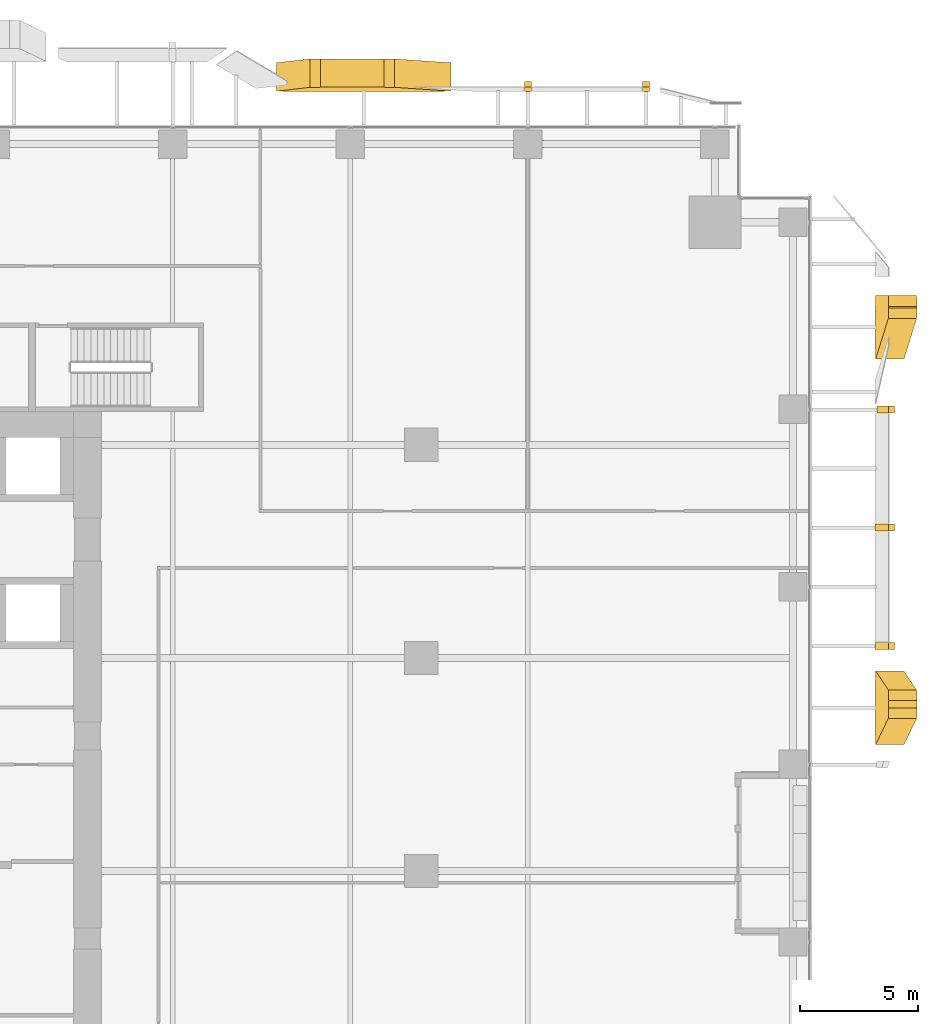
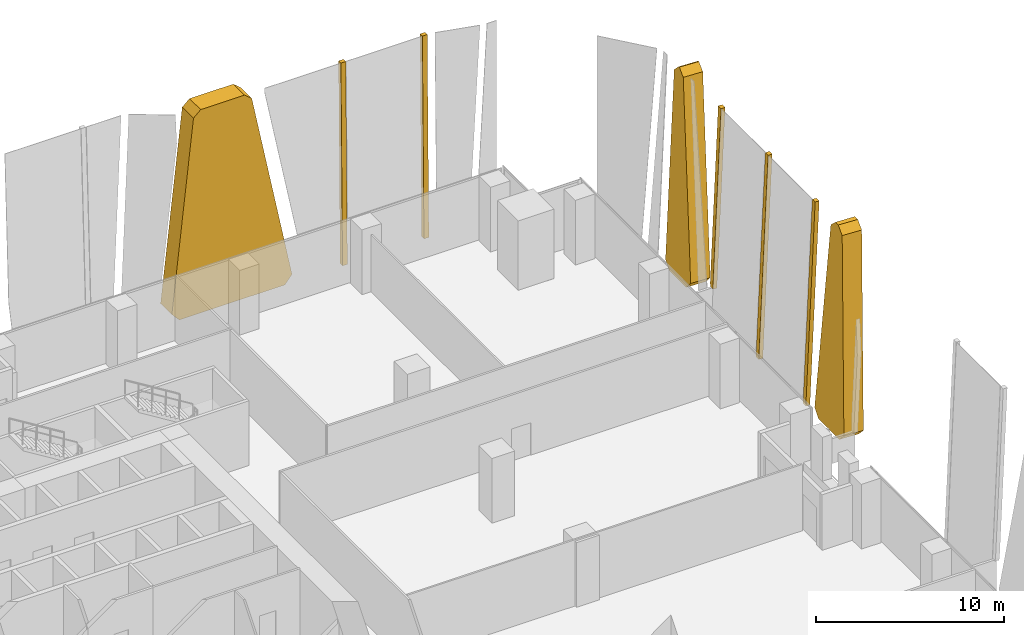
# One storey, part 33 of 34: 8 coverings.
"""IFC4 building model written with IfcOpenShell, lengths in metres."""

from ifc_helpers import new_model, si_unit, direction, frame, origin, place, context, subcontext, project, spatial, polyline, outline, extrude, material, layer, layer_set, type_object, element, save


model = new_model("IFC4")

# Units and contexts
model_context = context("Model", 3, precision=1e-05, world=origin(), true_north=direction((0.0, 1.0)))
body_context = subcontext(model_context, "Body", "Model", "MODEL_VIEW")
ifc_project = project(units=[si_unit("LENGTHUNIT", "METRE"), si_unit("AREAUNIT", "SQUARE_METRE"), si_unit("VOLUMEUNIT", "CUBIC_METRE"), si_unit("PLANEANGLEUNIT", "RADIAN"), si_unit("MASSUNIT", "GRAM", prefix="KILO")], contexts=[model_context])

# Site, building, storey
site_placement = place(None, origin())
site = spatial("IfcSite", under=ifc_project, at=site_placement, CompositionType="ELEMENT")
building_placement = place(site_placement, origin())
building = spatial("IfcBuilding", under=site, at=building_placement, Name="Khomas Fold Tower", CompositionType="ELEMENT")
storey_placement = place(building_placement, frame((0.0, 0.0, 73.5)))
storey = spatial("IfcBuildingStorey", under=building, at=storey_placement, Name="L15", CompositionType="ELEMENT", Elevation=73.5)

# Coverings
ifc_material_1 = material(Name="Natural stone cladding", Category="masonry")
ifc_layer_1 = layer(ifc_material_1, 0.25)
ifc_layer_set_1 = layer_set([ifc_layer_1], Name="Natural stone cladding")
covering_type_1 = type_object("IfcCoveringType", Name="SK-Karibib marble stone mullion", PredefinedType="CLADDING", material=ifc_layer_set_1)
for number, where, z_axis, x_axis, name in (
    (1, (57.245361328125, 32.14990234375, 13.050048828125), (-0.99904235518, 0.0, 0.043753543365), (-0.043753543365, 0.0, -0.99904235518), "OUTER SKIN mullion L15 EM104-8"),
    (2, (57.245361328125, 37.14990234375, 13.050048828125), (-0.99904235518, 0.0, 0.043753543365), (-0.043753543365, 0.0, -0.99904235518), "OUTER SKIN mullion L15 EM105-10"),
):
    element("IfcCovering", number, at=place(storey_placement, frame(where, z_axis=z_axis, x_axis=x_axis)), inside=storey, type_object=covering_type_1, Name=name, PredefinedType="CLADDING", context=body_context, shape_type="SweptSolid", body=[
        extrude(outline(polyline([(0.0, 0.0), (13.062558119247587, 0.0), (13.062558119247587, 0.2998046875), (0.0, 0.2998046875), (0.0, 0.0)])), origin(), (0.0, 0.0, -1.0), 0.25),
    ])
covering_1_placement = place(storey_placement, frame((56.749267578125, 42.14990234375, 1.727294921875), z_axis=(-0.999042180095, -0.000315766568, 0.043756401607), x_axis=(-0.042920141134, -0.187624077314, -0.981302739779)))
element("IfcCovering", 3, at=covering_1_placement, inside=storey, type_object=covering_type_1, Name="OUTER SKIN mullion L15 EM106-12", PredefinedType="CLADDING", context=body_context, shape_type="SweptSolid", body=[
    extrude(outline(polyline([(0.0, 0.0), (0.231617856968063, 0.0), (0.2797148494436326, 0.2517951421839092), (-11.076091265941216, 2.4209399296397485), (-11.132341843807882, 2.126459515733234), (0.0, 0.0)])), origin(), (0.0, 0.0, -1.0), 0.25),
])
for number, where, z_axis, x_axis, name in (
    (4, (42.14990234375, 55.603515625, 13.050048828125), (0.0, -0.999913772879, 0.013131900334), (0.0, -0.013131900334, -0.999913772879), "OUTER SKIN mullion L15 NM106-11"),
    (5, (47.14990234375, 55.603515625, 13.050048828125), (0.0, -0.999913772879, 0.013131900334), (0.0, -0.013131900334, -0.999913772879), "OUTER SKIN mullion L15 NM107-13"),
):
    element("IfcCovering", number, at=place(storey_placement, frame(where, z_axis=z_axis, x_axis=x_axis)), inside=storey, type_object=covering_type_1, Name=name, PredefinedType="CLADDING", context=body_context, shape_type="SweptSolid", body=[
        extrude(outline(polyline([(0.0, 0.0), (13.051174193298111, 0.0), (13.051174193298111, -0.29980468749999994), (0.0, -0.29980468749999994), (0.0, 0.0)])), origin(), (0.0, 0.0, -1.0), 0.25),
    ])
ifc_material_2 = material(Name="Natural stone cladding", Category="masonry")
ifc_layer_2 = layer(ifc_material_2, 1.199951171875)
ifc_layer_set_2 = layer_set([ifc_layer_2], Name="Natural stone cladding")
covering_type_2 = type_object("IfcCoveringType", Name="SK-Karibib marble stone panel", PredefinedType="CLADDING", material=ifc_layer_set_2)
covering_2_placement = place(storey_placement, frame((56.6953125, 27.83935546875, 0.49072265625), z_axis=(-0.999042664962, -8.28387e-07, 0.043746469395), x_axis=(0.043567329117, 0.090386703372, 0.994953331412)))
element("IfcCovering", 6, at=covering_2_placement, inside=storey, type_object=covering_type_2, Name="OUTER SKIN leaf L15 ES06-2", PredefinedType="CLADDING", context=body_context, shape_type="SweptSolid", body=[
    extrude(outline(polyline([(0.0, 0.0), (12.211528073028134, -2.220446049250313e-16), (12.66018791348797, 0.40936493873437274), (12.687815880436727, 0.7137778401466128), (12.309322418645051, 1.199194300093241), (0.26956421853088064, 3.0945027409998764), (-0.24902627644019318, 2.6905040062203756), (-0.44866702483109033, 0.4908047098333661), (0.0, 0.0)])), origin(), (0.0, 0.0, -1.0), 1.199951171875),
])
covering_3_placement = place(storey_placement, frame((56.6962890625, 44.130859375, 0.512939453125), z_axis=(-0.999042580855, -2.946524e-05, 0.043748380213), x_axis=(0.043316701495, 0.139468299999, 0.989278654711)))
element("IfcCovering", 7, at=covering_3_placement, inside=storey, type_object=covering_type_2, Name="OUTER SKIN leaf L15 ES09-3", PredefinedType="CLADDING", context=body_context, shape_type="SweptSolid", body=[
    extrude(outline(polyline([(0.0, 0.0), (12.281576712818028, 2.220446049250313e-16), (12.727513666669171, 0.38714632817001426), (12.73599208627359, 0.4473432049870216), (12.352762316606622, 0.955711300395214), (0.3098274488655831, 2.651896564097531), (-0.19889959548255431, 2.2691559822501812), (-0.4462719586395985, 0.5128093554407178), (0.0, 0.0)])), origin(), (0.0, 0.0, -1.0), 1.199951171875),
])
covering_4_placement = place(storey_placement, frame((31.377197265625, 55.438720703125, 0.502197265625), z_axis=(6.933146e-06, -0.999913715097, 0.013136297545), x_axis=(0.116084442958, 0.013048292368, 0.993153635733)))
element("IfcCovering", 8, at=covering_4_placement, inside=storey, type_object=covering_type_2, Name="OUTER SKIN leaf L15 NS08-2", PredefinedType="CLADDING", context=body_context, shape_type="SweptSolid", body=[
    extrude(outline(polyline([(0.0, 0.0), (12.233904730813697, 0.0), (12.680846113090213, -0.39782811982471356), (12.99293641725359, -3.068128827387739), (12.683079725775753, -3.548753959089188), (0.8902165236026742, -7.3223845085893515), (0.3061506799760244, -6.945990406252738), (-0.4469528118995119, -0.5023016392647003), (0.0, 0.0)])), origin(), (0.0, 0.0, -1.0), 1.199951171875),
])

save(model, "model.ifc")
